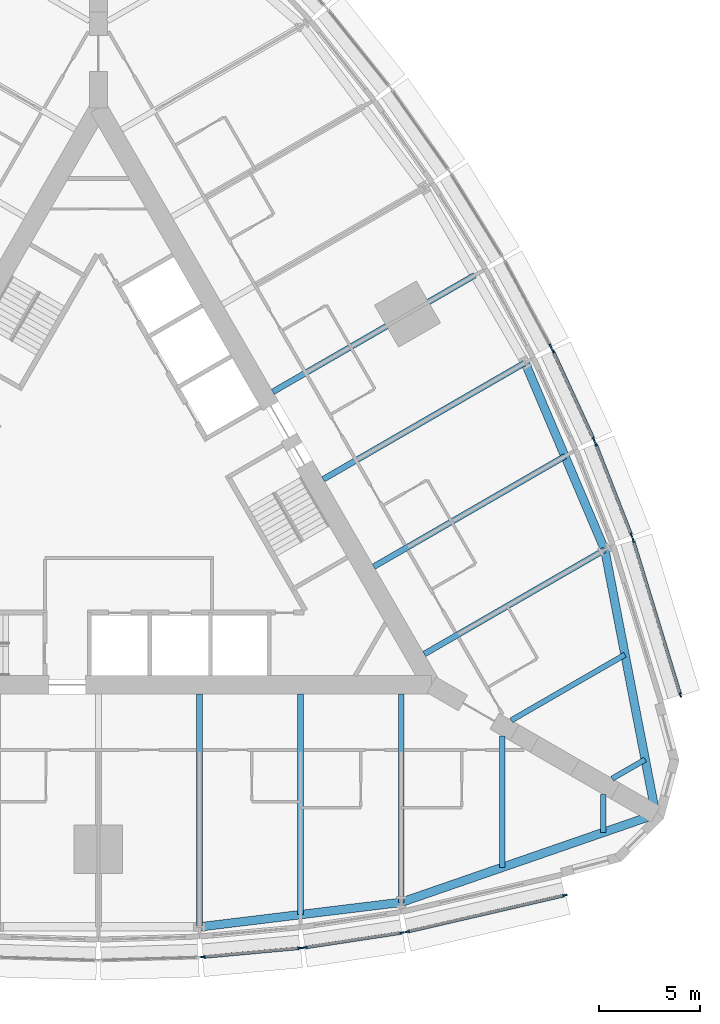
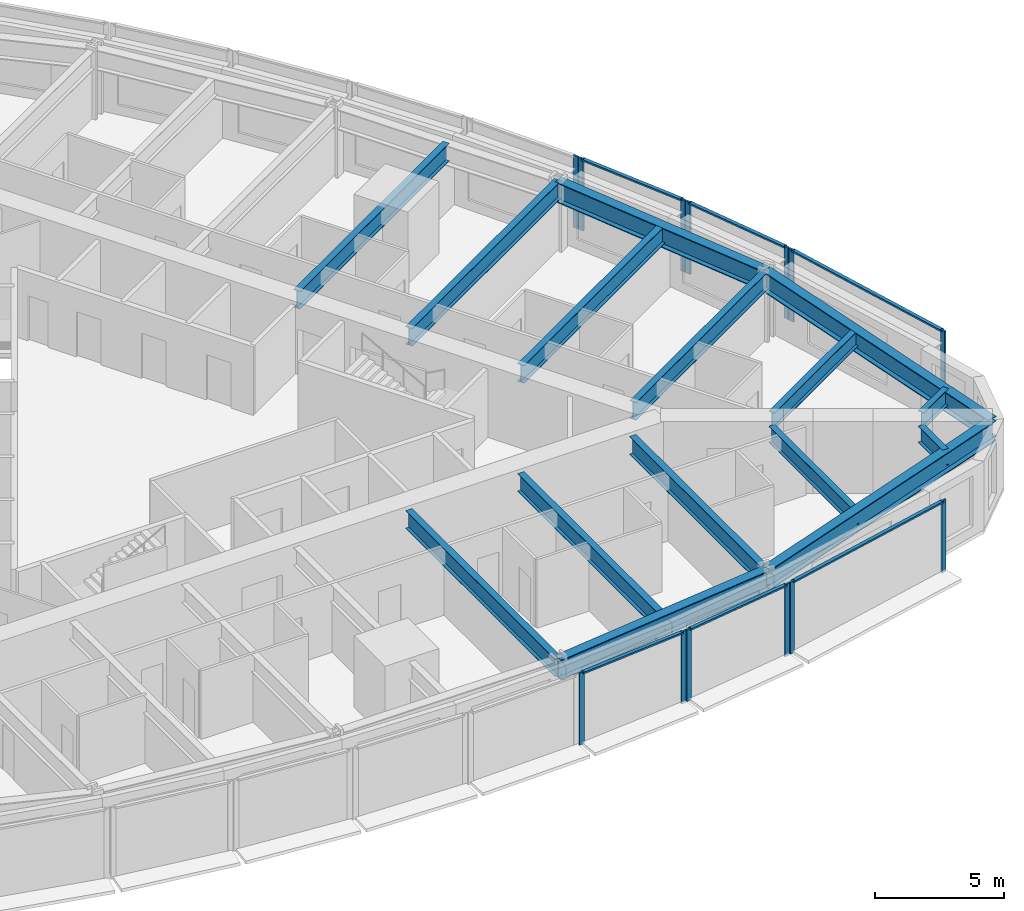
# One storey, part 3 of 14: 19 members, 15 beams, 7 elements without a shape of their own.
"""IFC4 building model written with IfcOpenShell, lengths in metres."""

from ifc_helpers import new_model, si_unit, direction, frame, origin, origin_2d, place, context, subcontext, project, spatial, rectangle, i_section, extrude, material, material_profile, profile_set, type_object, element, aggregate, save


model = new_model("IFC4")

# Units and contexts
model_context = context("Model", 3, precision=1e-05, world=origin(), true_north=direction((0.0, 1.0)))
body_context = subcontext(model_context, "Body", "Model", "MODEL_VIEW")
ifc_project = project(units=[si_unit("LENGTHUNIT", "METRE"), si_unit("AREAUNIT", "SQUARE_METRE"), si_unit("VOLUMEUNIT", "CUBIC_METRE"), si_unit("PLANEANGLEUNIT", "RADIAN"), si_unit("MASSUNIT", "GRAM", prefix="KILO")], contexts=[model_context])

# Site, building, storey
site_placement = place(None, origin())
site = spatial("IfcSite", under=ifc_project, at=site_placement, CompositionType="ELEMENT")
building_placement = place(site_placement, origin())
building = spatial("IfcBuilding", under=site, at=building_placement, Name="Trikona Tower", CompositionType="ELEMENT")
storey_placement = place(building_placement, frame((0.0, 0.0, 31.89990234375)))
storey = spatial("IfcBuildingStorey", under=building, at=storey_placement, Name="L06", CompositionType="ELEMENT", Elevation=31.89990234375)

# Curtain wall, members
ifc_material_1 = material(Name="Aluminium curtain wall system", Category="aluminium")
curtain_wall_type = type_object("IfcCurtainWallType", Name="Curtain wall DS1", PredefinedType="NOTDEFINED", material=ifc_material_1)
curtain_wall_1_placement = place(storey_placement, origin())
curtain_wall_1 = element("IfcCurtainWall", 1, at=curtain_wall_1_placement, inside=storey, type_object=curtain_wall_type, Name="Curtain wall DS1 L06", PredefinedType="NOTDEFINED")
ifc_material_2 = material(Name="Aluminium mullion, pale anodised", Category="aluminium")
ifc_material_profile_1 = material_profile(ifc_material_2, rectangle(XDim=0.080078125, YDim=0.219970703125, at=origin_2d()), Name="MUL-DS1")
ifc_profile_set_1 = profile_set([ifc_material_profile_1], Name="Aluminium mullion, pale anodised")
member_type_1 = type_object("IfcMemberType", Name="Mullion DS1 80x220", PredefinedType="MULLION", material=ifc_profile_set_1)
member_1_placement = place(storey_placement, frame((5.181396484375, -23.007568359375, 0.0), z_axis=(0.0, 0.0, 1.0), x_axis=(-0.090923932737, 0.995857840485, 0.0)))
member_1 = element("IfcMember", 2, at=member_1_placement, type_object=member_type_1, Name="CW-DS1 mullion 1", PredefinedType="MULLION", context=body_context, shape_type="SweptSolid", body=[
    extrude(rectangle(XDim=0.080078125, YDim=0.219970703125, at=origin_2d()), origin(), (0.0, 0.0, 1.0), 3.400146484375),
])
member_2_placement = place(storey_placement, frame((9.982177734375, -22.5693359375, 0.0), z_axis=(0.0, 0.0, 1.0), x_axis=(-0.090923932737, 0.995857840485, 0.0)))
member_2 = element("IfcMember", 3, at=member_2_placement, type_object=member_type_1, Name="CW-DS1 mullion 2", PredefinedType="MULLION", context=body_context, shape_type="SweptSolid", body=[
    extrude(rectangle(XDim=0.080078125, YDim=0.219970703125, at=origin_2d()), origin(), (0.0, 0.0, 1.0), 3.400146484375),
])

curtain_wall_2_placement = place(storey_placement, origin())
curtain_wall_2 = element("IfcCurtainWall", 4, at=curtain_wall_2_placement, inside=storey, type_object=curtain_wall_type, Name="Curtain wall DS1 L06", PredefinedType="NOTDEFINED")
member_3_placement = place(storey_placement, frame((10.234130859375, -22.53857421875, 0.0), z_axis=(0.0, 0.0, 1.0), x_axis=(-0.150437693845, 0.988619492156, 0.0)))
member_3 = element("IfcMember", 5, at=member_3_placement, type_object=member_type_1, Name="CW-DS1 mullion 1", PredefinedType="MULLION", context=body_context, shape_type="SweptSolid", body=[
    extrude(rectangle(XDim=0.080078125, YDim=0.219970703125, at=origin_2d()), origin(), (0.0, 0.0, 1.0), 3.400146484375),
])
member_4_placement = place(storey_placement, frame((15.03662109375, -21.807861328125, 0.0), z_axis=(0.0, 0.0, 1.0), x_axis=(-0.150437693845, 0.988619492156, 0.0)))
member_4 = element("IfcMember", 6, at=member_4_placement, type_object=member_type_1, Name="CW-DS1 mullion 2", PredefinedType="MULLION", context=body_context, shape_type="SweptSolid", body=[
    extrude(rectangle(XDim=0.080078125, YDim=0.219970703125, at=origin_2d()), origin(), (0.0, 0.0, 1.0), 3.400146484375),
])

curtain_wall_3_placement = place(storey_placement, origin())
curtain_wall_3 = element("IfcCurtainWall", 7, at=curtain_wall_3_placement, inside=storey, type_object=curtain_wall_type, Name="Curtain wall DS1 L06", PredefinedType="NOTDEFINED")
member_5_placement = place(storey_placement, frame((15.30029296875, -21.75732421875, 0.0), z_axis=(0.0, 0.0, 1.0), x_axis=(-0.225343288756, 0.974279427173, 0.0)))
member_5 = element("IfcMember", 8, at=member_5_placement, type_object=member_type_1, Name="CW-DS1 mullion 1", PredefinedType="MULLION", context=body_context, shape_type="SweptSolid", body=[
    extrude(rectangle(XDim=0.080078125, YDim=0.219970703125, at=origin_2d()), origin(), (0.0, 0.0, 1.0), 3.400146484375),
])
member_6_placement = place(storey_placement, frame((23.10546875, -19.951904296875, 0.0), z_axis=(0.0, 0.0, 1.0), x_axis=(-0.225343288756, 0.974279427173, 0.0)))
member_6 = element("IfcMember", 9, at=member_6_placement, type_object=member_type_1, Name="CW-DS1 mullion 2", PredefinedType="MULLION", context=body_context, shape_type="SweptSolid", body=[
    extrude(rectangle(XDim=0.080078125, YDim=0.219970703125, at=origin_2d()), origin(), (0.0, 0.0, 1.0), 3.400146484375),
])

curtain_wall_4_placement = place(storey_placement, origin())
curtain_wall_4 = element("IfcCurtainWall", 10, at=curtain_wall_4_placement, inside=storey, type_object=curtain_wall_type, Name="Curtain wall DS1 L06", PredefinedType="NOTDEFINED")
member_7_placement = place(storey_placement, frame((28.83154296875, -10.033935546875, 0.0), z_axis=(0.0, 0.0, 1.0), x_axis=(-0.956423115383, -0.291984287868, 0.0)))
member_7 = element("IfcMember", 11, at=member_7_placement, type_object=member_type_1, Name="CW-DS1 mullion 1", PredefinedType="MULLION", context=body_context, shape_type="SweptSolid", body=[
    extrude(rectangle(XDim=0.080078125, YDim=0.219970703125, at=origin_2d()), origin(), (0.0, 0.0, 1.0), 3.400146484375),
])
member_8_placement = place(storey_placement, frame((26.492431640625, -2.371826171875, 0.0), z_axis=(0.0, 0.0, 1.0), x_axis=(-0.956423115383, -0.291984287868, 0.0)))
member_8 = element("IfcMember", 12, at=member_8_placement, type_object=member_type_1, Name="CW-DS1 mullion 2", PredefinedType="MULLION", context=body_context, shape_type="SweptSolid", body=[
    extrude(rectangle(XDim=0.080078125, YDim=0.219970703125, at=origin_2d()), origin(), (0.0, 0.0, 1.0), 3.400146484375),
])

curtain_wall_5_placement = place(storey_placement, origin())
curtain_wall_5 = element("IfcCurtainWall", 13, at=curtain_wall_5_placement, inside=storey, type_object=curtain_wall_type, Name="Curtain wall DS1 L06", PredefinedType="NOTDEFINED")
member_9_placement = place(storey_placement, frame((26.404296875, -2.1181640625, 0.0), z_axis=(0.0, 0.0, 1.0), x_axis=(-0.931395989443, -0.36400756977, 0.0)))
member_9 = element("IfcMember", 14, at=member_9_placement, type_object=member_type_1, Name="CW-DS1 mullion 1", PredefinedType="MULLION", context=body_context, shape_type="SweptSolid", body=[
    extrude(rectangle(XDim=0.080078125, YDim=0.219970703125, at=origin_2d()), origin(), (0.0, 0.0, 1.0), 3.400146484375),
])
member_10_placement = place(storey_placement, frame((24.63623046875, 2.40625, 0.0), z_axis=(0.0, 0.0, 1.0), x_axis=(-0.931395989443, -0.36400756977, 0.0)))
member_10 = element("IfcMember", 15, at=member_10_placement, type_object=member_type_1, Name="CW-DS1 mullion 2", PredefinedType="MULLION", context=body_context, shape_type="SweptSolid", body=[
    extrude(rectangle(XDim=0.080078125, YDim=0.219970703125, at=origin_2d()), origin(), (0.0, 0.0, 1.0), 3.400146484375),
])

curtain_wall_6_placement = place(storey_placement, origin())
curtain_wall_6 = element("IfcCurtainWall", 16, at=curtain_wall_6_placement, inside=storey, type_object=curtain_wall_type, Name="Curtain wall DS1 L06", PredefinedType="NOTDEFINED")
member_11_placement = place(storey_placement, frame((24.53662109375, 2.6396484375, 0.0), z_axis=(0.0, 0.0, 1.0), x_axis=(-0.907898459992, -0.419190155352, 0.0)))
member_11 = element("IfcMember", 17, at=member_11_placement, type_object=member_type_1, Name="CW-DS1 mullion 1", PredefinedType="MULLION", context=body_context, shape_type="SweptSolid", body=[
    extrude(rectangle(XDim=0.080078125, YDim=0.219970703125, at=origin_2d()), origin(), (0.0, 0.0, 1.0), 3.400146484375),
])
member_12_placement = place(storey_placement, frame((22.515869140625, 7.0166015625, 0.0), z_axis=(0.0, 0.0, 1.0), x_axis=(-0.907898459992, -0.419190155352, 0.0)))
member_12 = element("IfcMember", 18, at=member_12_placement, type_object=member_type_1, Name="CW-DS1 mullion 2", PredefinedType="MULLION", context=body_context, shape_type="SweptSolid", body=[
    extrude(rectangle(XDim=0.080078125, YDim=0.219970703125, at=origin_2d()), origin(), (0.0, 0.0, 1.0), 3.400146484375),
])

# Curtain wall, member
curtain_wall_7_placement = place(storey_placement, origin())
curtain_wall_7 = element("IfcCurtainWall", 19, at=curtain_wall_7_placement, inside=storey, type_object=curtain_wall_type, Name="Curtain wall DS1 L06", PredefinedType="NOTDEFINED")
member_13_placement = place(storey_placement, frame((22.402099609375, 7.244140625, 0.0), z_axis=(0.0, 0.0, 1.0), x_axis=(-0.880843080975, -0.473408350896, 0.0)))
member_13 = element("IfcMember", 20, at=member_13_placement, type_object=member_type_1, Name="CW-DS1 mullion 1", PredefinedType="MULLION", context=body_context, shape_type="SweptSolid", body=[
    extrude(rectangle(XDim=0.080078125, YDim=0.219970703125, at=origin_2d()), origin(), (0.0, 0.0, 1.0), 3.400146484375),
])
aggregate(curtain_wall_7, [member_13])

# Beams
ifc_material_3 = material(Name="Steel ASTM A992 Grade 50", Category="steel")
ifc_material_profile_2 = material_profile(ifc_material_3, i_section(OverallWidth=0.2666015625, OverallDepth=0.76953125, WebThickness=0.015625, FlangeThickness=0.025390625, at=origin_2d()), Name="W30X132")
ifc_profile_set_2 = profile_set([ifc_material_profile_2], Name="Steel ASTM A992 Grade 50")
beam_type_1 = type_object("IfcBeamType", Name="Steel beam W30x132 (wedge)", PredefinedType="BEAM", material=ifc_profile_set_2)
beam_1_placement = place(storey_placement, frame((20.0, -12.066650390625, 2.850341796875), z_axis=(0.0, -1.0, 0.0), x_axis=(1.0, 0.0, 0.0)))
element("IfcBeam", 21, at=beam_1_placement, inside=storey, type_object=beam_type_1, Name="Floor beam L07 F1 u20", PredefinedType="BEAM", context=body_context, shape_type="SweptSolid", body=[
    extrude(i_section(OverallWidth=0.2666015625, OverallDepth=0.76953125, WebThickness=0.015625, FlangeThickness=0.025390625, at=origin_2d()), origin(), (0.0, 0.0, 1.0), 6.5068359375),
])
for number, where, z_axis, x_axis, name in (
    (22, (25.0, -14.953369140625, 2.850341796875), (0.0, -1.0, 0.0), (1.0, 0.0, 0.0), "Floor beam L07 F1 u25"),
    (23, (25.449951171875, -14.173828125, 2.850341796875), (0.866065156741, 0.499931139538, 0.0), (-0.499931139538, 0.866065156741, 0.0), "Floor beam L07 F2 u-25"),
):
    element("IfcBeam", number, at=place(storey_placement, frame(where, z_axis=z_axis, x_axis=x_axis)), inside=storey, type_object=beam_type_1, Name=name, PredefinedType="BEAM", context=body_context, shape_type="SweptSolid", body=[
        extrude(i_section(OverallWidth=0.2666015625, OverallDepth=0.76953125, WebThickness=0.015625, FlangeThickness=0.025390625, at=origin_2d()), origin(), (0.0, 0.0, 1.0), 1.890380859375),
    ])
beam_2_placement = place(storey_placement, frame((20.449951171875, -11.287109375, 2.850341796875), z_axis=(0.866022504693, 0.50000502134, 0.0), x_axis=(-0.50000502134, 0.866022504693, 0.0)))
element("IfcBeam", 24, at=beam_2_placement, inside=storey, type_object=beam_type_1, Name="Floor beam L07 F2 u-20", PredefinedType="BEAM", context=body_context, shape_type="SweptSolid", body=[
    extrude(i_section(OverallWidth=0.2666015625, OverallDepth=0.76953125, WebThickness=0.015625, FlangeThickness=0.025390625, at=origin_2d()), origin(), (0.0, 0.0, 1.0), 6.5068359375),
])
ifc_material_4 = material(Name="Steel ASTM A992 Grade 50", Category="steel")
ifc_material_profile_3 = material_profile(ifc_material_4, i_section(OverallWidth=0.2919921875, OverallDepth=0.845703125, WebThickness=0.015380859375, FlangeThickness=0.0244140625, at=origin_2d()), Name="W33X141")
ifc_profile_set_3 = profile_set([ifc_material_profile_3], Name="Steel ASTM A992 Grade 50")
beam_type_2 = type_object("IfcBeamType", Name="Steel beam W33x141 (radial typ)", PredefinedType="BEAM", material=ifc_profile_set_3)
beam_3_placement = place(storey_placement, frame((5.0, -9.976318359375, 2.812255859375), z_axis=(0.0, -1.0, 0.0), x_axis=(1.0, 0.0, 0.0)))
element("IfcBeam", 25, at=beam_3_placement, inside=storey, type_object=beam_type_2, Name="Floor beam L07 F1 u5", PredefinedType="BEAM", context=body_context, shape_type="SweptSolid", body=[
    extrude(i_section(OverallWidth=0.2919921875, OverallDepth=0.845703125, WebThickness=0.015380859375, FlangeThickness=0.0244140625, at=origin_2d()), origin(), (0.0, 0.0, 1.0), 11.544189453125),
])
beam_4_placement = place(storey_placement, frame((10.0, -9.976318359375, 2.812255859375), z_axis=(0.0, -1.0, 0.0), x_axis=(1.0, 0.0, 0.0)))
element("IfcBeam", 26, at=beam_4_placement, inside=storey, type_object=beam_type_2, Name="Floor beam L07 F1 u10", PredefinedType="BEAM", context=body_context, shape_type="SweptSolid", body=[
    extrude(i_section(OverallWidth=0.2919921875, OverallDepth=0.845703125, WebThickness=0.015380859375, FlangeThickness=0.0244140625, at=origin_2d()), origin(), (0.0, 0.0, 1.0), 10.935302734375),
])
beam_5_placement = place(storey_placement, frame((15.0, -9.976318359375, 2.812255859375), z_axis=(0.0, -1.0, 0.0), x_axis=(1.0, 0.0, 0.0)))
element("IfcBeam", 27, at=beam_5_placement, inside=storey, type_object=beam_type_2, Name="Floor beam L07 F1 u15", PredefinedType="BEAM", context=body_context, shape_type="SweptSolid", body=[
    extrude(i_section(OverallWidth=0.2919921875, OverallDepth=0.845703125, WebThickness=0.015380859375, FlangeThickness=0.0244140625, at=origin_2d()), origin(), (0.0, 0.0, 1.0), 10.32666015625),
])
beam_6_placement = place(storey_placement, frame((16.1396484375, -8.002197265625, 2.812255859375), z_axis=(0.866030471684, 0.499991222037, 0.0), x_axis=(-0.499991222037, 0.866030471684, 0.0)))
element("IfcBeam", 28, at=beam_6_placement, inside=storey, type_object=beam_type_2, Name="Floor beam L07 F2 u-15", PredefinedType="BEAM", context=body_context, shape_type="SweptSolid", body=[
    extrude(i_section(OverallWidth=0.2919921875, OverallDepth=0.845703125, WebThickness=0.015380859375, FlangeThickness=0.0244140625, at=origin_2d()), origin(), (0.0, 0.0, 1.0), 10.326904296875),
])
beam_7_placement = place(storey_placement, frame((13.6396484375, -3.672119140625, 2.812255859375), z_axis=(0.866025348605, 0.500000095573, 0.0), x_axis=(-0.500000095573, 0.866025348605, 0.0)))
element("IfcBeam", 29, at=beam_7_placement, inside=storey, type_object=beam_type_2, Name="Floor beam L07 F2 u-10", PredefinedType="BEAM", context=body_context, shape_type="SweptSolid", body=[
    extrude(i_section(OverallWidth=0.2919921875, OverallDepth=0.845703125, WebThickness=0.015380859375, FlangeThickness=0.0244140625, at=origin_2d()), origin(), (0.0, 0.0, 1.0), 10.935546875),
])
for number, where, z_axis, x_axis, name in (
    (30, (11.1396484375, 0.657958984375, 2.812255859375), (0.866020765707, 0.500008033299, 0.0), (-0.500008033299, 0.866020765707, 0.0), "Floor beam L07 F2 u-5"),
    (31, (8.6396484375, 4.988037109375, 2.812255859375), (0.866020765707, 0.500008033299, 0.0), (-0.500008033299, 0.866020765707, 0.0), "Floor beam L07 F2 u0"),
):
    element("IfcBeam", number, at=place(storey_placement, frame(where, z_axis=z_axis, x_axis=x_axis)), inside=storey, type_object=beam_type_2, Name=name, PredefinedType="BEAM", context=body_context, shape_type="SweptSolid", body=[
        extrude(i_section(OverallWidth=0.2919921875, OverallDepth=0.845703125, WebThickness=0.015380859375, FlangeThickness=0.0244140625, at=origin_2d()), origin(), (0.0, 0.0, 1.0), 11.544189453125),
    ])
ifc_material_5 = material(Name="Steel ASTM A992 Grade 50", Category="steel")
ifc_material_profile_4 = material_profile(ifc_material_5, i_section(OverallWidth=0.424072265625, OverallDepth=0.947509765625, WebThickness=0.02392578125, FlangeThickness=0.042724609375, at=origin_2d()), Name="W36X302")
ifc_profile_set_4 = profile_set([ifc_material_profile_4], Name="Steel ASTM A992 Grade 50")
beam_type_3 = type_object("IfcBeamType", Name="Steel beam W36x302 (spandrel)", PredefinedType="SPANDREL", material=ifc_profile_set_4)
beam_8_placement = place(storey_placement, frame((5.0, -21.5205078125, 2.761474609375), z_axis=(0.99266951126, 0.120860421207, 0.0), x_axis=(-0.120860421207, 0.99266951126, 0.0)))
element("IfcBeam", 32, at=beam_8_placement, inside=storey, type_object=beam_type_3, Name="Spandrel beam L07 F1-4", PredefinedType="SPANDREL", context=body_context, shape_type="SweptSolid", body=[
    extrude(i_section(OverallWidth=0.424072265625, OverallDepth=0.947509765625, WebThickness=0.02392578125, FlangeThickness=0.042724609375, at=origin_2d()), origin(), (0.0, 0.0, 1.0), 10.07373046875),
])
for number, where, z_axis, x_axis, name in (
    (33, (15.0, -20.302978515625, 2.761474609375), (0.945056965739, 0.326905692071, 0.0), (-0.326905692071, 0.945056965739, 0.0), "Spandrel beam L07 F1-5"),
    (34, (27.6103515625, -15.94091796875, 2.761474609375), (-0.189405184036, 0.981899015307, 0.0), (-0.981899015307, -0.189405184036, 0.0), "Spandrel beam L07 F2-1"),
):
    element("IfcBeam", number, at=place(storey_placement, frame(where, z_axis=z_axis, x_axis=x_axis)), inside=storey, type_object=beam_type_3, Name=name, PredefinedType="SPANDREL", context=body_context, shape_type="SweptSolid", body=[
        extrude(i_section(OverallWidth=0.424072265625, OverallDepth=0.947509765625, WebThickness=0.02392578125, FlangeThickness=0.042724609375, at=origin_2d()), origin(), (0.0, 0.0, 1.0), 13.343505859375),
    ])
beam_9_placement = place(storey_placement, frame((25.0830078125, -2.8388671875, 2.761474609375), z_axis=(-0.391683514847, 0.920100007715, 0.0), x_axis=(-0.920100007715, -0.391683514847, 0.0)))
element("IfcBeam", 35, at=beam_9_placement, inside=storey, type_object=beam_type_3, Name="Spandrel beam L07 F2-2", PredefinedType="SPANDREL", context=body_context, shape_type="SweptSolid", body=[
    extrude(i_section(OverallWidth=0.424072265625, OverallDepth=0.947509765625, WebThickness=0.02392578125, FlangeThickness=0.042724609375, at=origin_2d()), origin(), (0.0, 0.0, 1.0), 10.073974609375),
])

# Member
ifc_material_6 = material(Name="Aluminium transom, pale anodised", Category="aluminium")
ifc_material_profile_5 = material_profile(ifc_material_6, rectangle(XDim=0.159912109375, YDim=0.080078125, at=origin_2d()), Name="TRN-DS1")
ifc_profile_set_5 = profile_set([ifc_material_profile_5], Name="Aluminium transom, pale anodised")
member_type_2 = type_object("IfcMemberType", Name="Transom DS1 80x160", PredefinedType="USERDEFINED", material=ifc_profile_set_5)
member_14_placement = place(storey_placement, frame((5.22119140625, -23.00390625, 3.360107421875), z_axis=(0.995855977008, 0.090944340438, 0.0), x_axis=(-0.090944340438, 0.995855977008, 0.0)))
member_14 = element("IfcMember", 36, at=member_14_placement, type_object=member_type_2, Name="CW-DS1 transom 1.1", ObjectType="TRANSOM", PredefinedType="USERDEFINED", context=body_context, shape_type="SweptSolid", body=[
    extrude(rectangle(XDim=0.159912109375, YDim=0.080078125, at=origin_2d()), origin(), (0.0, 0.0, 1.0), 4.74072265625),
])

aggregate(curtain_wall_1, [member_1, member_2, member_14])

member_15_placement = place(storey_placement, frame((10.273681640625, -22.532470703125, 3.360107421875), z_axis=(0.988619663412, 0.150436568413, 0.0), x_axis=(-0.150436568413, 0.988619663412, 0.0)))
member_15 = element("IfcMember", 37, at=member_15_placement, type_object=member_type_2, Name="CW-DS1 transom 1.1", ObjectType="TRANSOM", PredefinedType="USERDEFINED", context=body_context, shape_type="SweptSolid", body=[
    extrude(rectangle(XDim=0.159912109375, YDim=0.080078125, at=origin_2d()), origin(), (0.0, 0.0, 1.0), 4.77783203125),
])

aggregate(curtain_wall_2, [member_3, member_4, member_15])

member_16_placement = place(storey_placement, frame((15.33935546875, -21.748291015625, 3.360107421875), z_axis=(0.974275371842, 0.225360821398, 0.0), x_axis=(-0.225360821398, 0.974275371842, 0.0)))
member_16 = element("IfcMember", 38, at=member_16_placement, type_object=member_type_2, Name="CW-DS1 transom 1.1", ObjectType="TRANSOM", PredefinedType="USERDEFINED", context=body_context, shape_type="SweptSolid", body=[
    extrude(rectangle(XDim=0.159912109375, YDim=0.080078125, at=origin_2d()), origin(), (0.0, 0.0, 1.0), 7.93115234375),
])

aggregate(curtain_wall_3, [member_5, member_6, member_16])

member_17_placement = place(storey_placement, frame((28.81982421875, -9.99560546875, 3.360107421875), z_axis=(-0.291967490203, 0.956428243343, 0.0), x_axis=(-0.956428243343, -0.291967490203, 0.0)))
member_17 = element("IfcMember", 39, at=member_17_placement, type_object=member_type_2, Name="CW-DS1 transom 1.1", ObjectType="TRANSOM", PredefinedType="USERDEFINED", context=body_context, shape_type="SweptSolid", body=[
    extrude(rectangle(XDim=0.159912109375, YDim=0.080078125, at=origin_2d()), origin(), (0.0, 0.0, 1.0), 7.93115234375),
])

aggregate(curtain_wall_4, [member_7, member_8, member_17])

member_18_placement = place(storey_placement, frame((26.389892578125, -2.080810546875, 3.360107421875), z_axis=(-0.364048647668, 0.931379934362, 0.0), x_axis=(-0.931379934362, -0.364048647668, 0.0)))
member_18 = element("IfcMember", 40, at=member_18_placement, type_object=member_type_2, Name="CW-DS1 transom 1.1", ObjectType="TRANSOM", PredefinedType="USERDEFINED", context=body_context, shape_type="SweptSolid", body=[
    extrude(rectangle(XDim=0.159912109375, YDim=0.080078125, at=origin_2d()), origin(), (0.0, 0.0, 1.0), 4.777587890625),
])

aggregate(curtain_wall_5, [member_9, member_10, member_18])

member_19_placement = place(storey_placement, frame((24.52001953125, 2.676025390625, 3.360107421875), z_axis=(-0.419188800665, 0.90789908547, 0.0), x_axis=(-0.90789908547, -0.419188800665, 0.0)))
member_19 = element("IfcMember", 41, at=member_19_placement, type_object=member_type_2, Name="CW-DS1 transom 1.1", ObjectType="TRANSOM", PredefinedType="USERDEFINED", context=body_context, shape_type="SweptSolid", body=[
    extrude(rectangle(XDim=0.159912109375, YDim=0.080078125, at=origin_2d()), origin(), (0.0, 0.0, 1.0), 4.74072265625),
])

aggregate(curtain_wall_6, [member_11, member_12, member_19])

save(model, "model.ifc")
